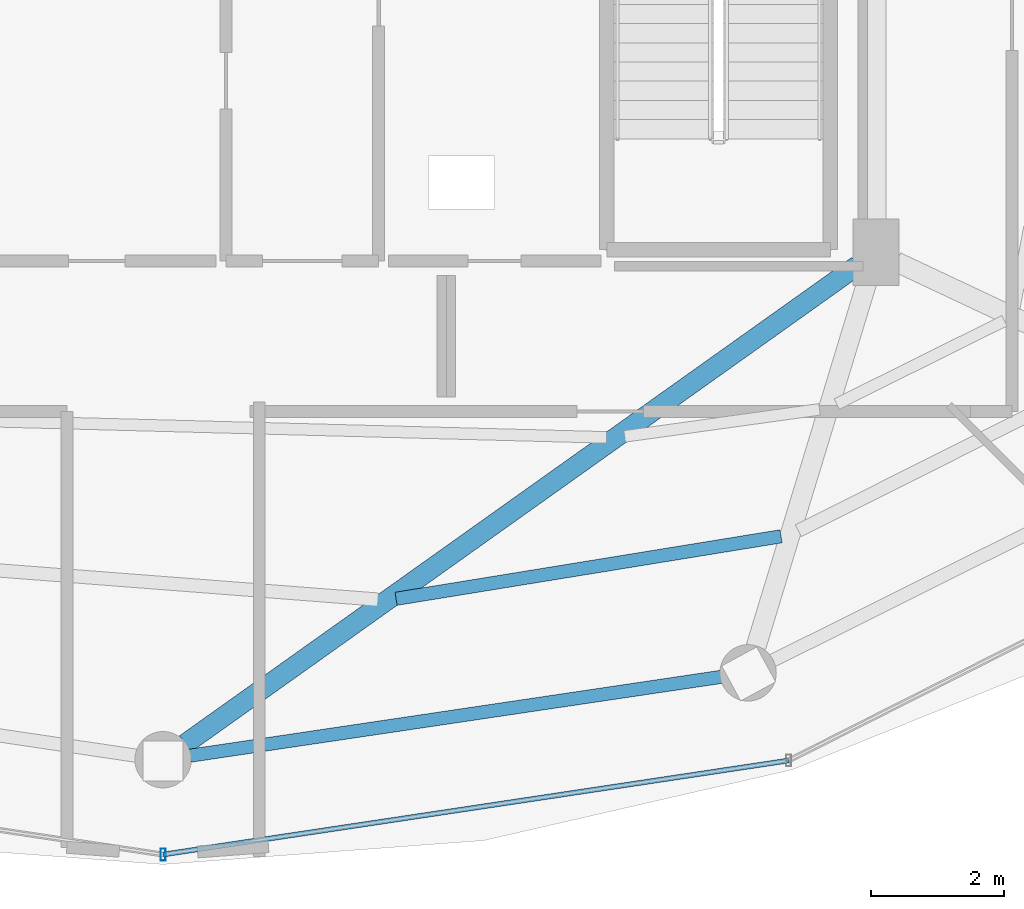
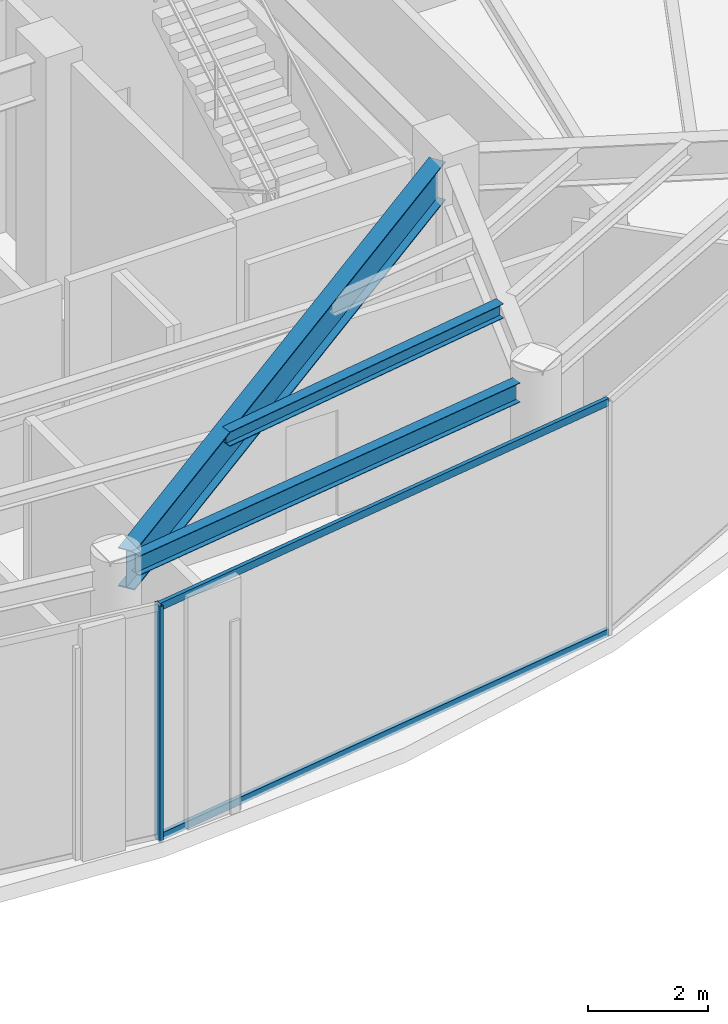
# One storey, part 5 of 24: 3 beams, 3 members, 1 element without a shape of its own.
"""IFC4 building model written with IfcOpenShell, lengths in metres."""

from ifc_helpers import new_model, si_unit, direction, frame, origin, origin_2d, place, context, subcontext, project, spatial, hollow_rectangle, i_section, extrude, material, material_profile, profile_set, type_object, element, aggregate, save


model = new_model("IFC4")

# Units and contexts
model_context = context("Model", 3, precision=1e-05, world=origin(), true_north=direction((0.0, 1.0)))
body_context = subcontext(model_context, "Body", "Model", "MODEL_VIEW")
ifc_project = project(units=[si_unit("LENGTHUNIT", "METRE"), si_unit("AREAUNIT", "SQUARE_METRE"), si_unit("VOLUMEUNIT", "CUBIC_METRE"), si_unit("PLANEANGLEUNIT", "RADIAN"), si_unit("MASSUNIT", "GRAM", prefix="KILO")], contexts=[model_context])

# Site, building, storey
site_placement = place(None, origin())
site = spatial("IfcSite", under=ifc_project, at=site_placement, CompositionType="ELEMENT")
building_placement = place(site_placement, origin())
building = spatial("IfcBuilding", under=site, at=building_placement, Name="Vorneva Point Tower", CompositionType="ELEMENT")
storey_placement = place(building_placement, frame((0.0, 0.0, 290.39990234375)))
storey = spatial("IfcBuildingStorey", under=building, at=storey_placement, Name="L78", CompositionType="ELEMENT", Elevation=290.39990234375)

# Beams
ifc_material_1 = material(Name="Steel S355", Category="steel")
ifc_material_profile_1 = material_profile(ifc_material_1, i_section(OverallWidth=0.300048828125, OverallDepth=0.7880859375, WebThickness=0.014404296875, FlangeThickness=0.02197265625, at=origin_2d()), Name="80Sh1")
ifc_profile_set_1 = profile_set([ifc_material_profile_1], Name="Steel S355")
beam_type_1 = type_object("IfcBeamType", Name="BM-GRD-80Sh1", PredefinedType="USERDEFINED", material=ifc_profile_set_1)
beam_1_placement = place(storey_placement, frame((38.33642578125, 9.03955078125, 4.326171875), z_axis=(0.814757147543, 0.579802371958, 0.0), x_axis=(-0.579802371958, 0.814757147543, 0.0)))
element("IfcBeam", 1, at=beam_1_placement, inside=storey, type_object=beam_type_1, Name="L78 Radial Primary Girder 13", ObjectType="GIRDER", PredefinedType="USERDEFINED", context=body_context, shape_type="SweptSolid", body=[
    extrude(i_section(OverallWidth=0.300048828125, OverallDepth=0.7880859375, WebThickness=0.014404296875, FlangeThickness=0.02197265625, at=origin_2d()), origin(), (0.0, 0.0, 1.0), 12.441162109375),
])
ifc_material_profile_2 = material_profile(ifc_material_1, i_section(OverallWidth=0.199951171875, OverallDepth=0.291015625, WebThickness=0.008056640625, FlangeThickness=0.010986328125, at=origin_2d()), Name="30Sh1")
ifc_profile_set_2 = profile_set([ifc_material_profile_2], Name="Steel S355")
beam_type_2 = type_object("IfcBeamType", Name="BM-SEC-30Sh1", PredefinedType="BEAM", material=ifc_profile_set_2)
beam_2_placement = place(storey_placement, frame((41.513671875, 11.2255859375, 4.57470703125), z_axis=(0.987061114088, 0.160344494936, 0.0), x_axis=(-0.160344494936, 0.987061114088, 0.0)))
element("IfcBeam", 2, at=beam_2_placement, inside=storey, type_object=beam_type_2, Name="L78 Secondary Floor Beam 1.13", PredefinedType="BEAM", context=body_context, shape_type="SweptSolid", body=[
    extrude(i_section(OverallWidth=0.199951171875, OverallDepth=0.291015625, WebThickness=0.008056640625, FlangeThickness=0.010986328125, at=origin_2d()), origin(), (0.0, 0.0, 1.0), 5.88037109375),
])
ifc_material_profile_3 = material_profile(ifc_material_1, i_section(OverallWidth=0.198974609375, OverallDepth=0.39599609375, WebThickness=0.007080078125, FlangeThickness=0.010986328125, at=origin_2d()), Name="40B1")
ifc_profile_set_3 = profile_set([ifc_material_profile_3], Name="Steel S355")
beam_type_3 = type_object("IfcBeamType", Name="BM-SPN-40B1", PredefinedType="SPANDREL", material=ifc_profile_set_3)
beam_3_placement = place(storey_placement, frame((38.405517578125, 8.860107421875, 4.522216796875), z_axis=(0.989161657331, 0.146830567886, 0.0), x_axis=(-0.146830567886, 0.989161657331, 0.0)))
element("IfcBeam", 3, at=beam_3_placement, inside=storey, type_object=beam_type_3, Name="L78 Perimeter Spandrel Ring Beam 13", PredefinedType="SPANDREL", context=body_context, shape_type="SweptSolid", body=[
    extrude(i_section(OverallWidth=0.198974609375, OverallDepth=0.39599609375, WebThickness=0.007080078125, FlangeThickness=0.010986328125, at=origin_2d()), origin(), (0.0, 0.0, 1.0), 8.097412109375),
])

# Curtain wall, members
ifc_material_2 = material(Name="Pale anodised aluminium", Category="aluminium")
curtain_wall_type = type_object("IfcCurtainWallType", Name="CW-OBS-SYS", PredefinedType="NOTDEFINED", material=ifc_material_2)
curtain_wall_placement = place(storey_placement, origin())
curtain_wall = element("IfcCurtainWall", 4, at=curtain_wall_placement, inside=storey, type_object=curtain_wall_type, Name="L78 Unitised Curtain Wall CW-L78-R04", PredefinedType="NOTDEFINED")
ifc_material_profile_4 = material_profile(ifc_material_2, hollow_rectangle(XDim=0.074951171875, YDim=0.179931640625, WallThickness=0.00390625, at=origin_2d()), Name="AL-MUL 180x75x4")
ifc_profile_set_4 = profile_set([ifc_material_profile_4], Name="Pale anodised aluminium")
member_type_1 = type_object("IfcMemberType", Name="CW-MUL-180", PredefinedType="MULLION", material=ifc_profile_set_4)
member_1_placement = place(storey_placement, frame((38.0, 7.3701171875, -0.039794921875), z_axis=(0.0, 0.0, 1.0), x_axis=(1.0, 0.0, 0.0)))
member_1 = element("IfcMember", 5, at=member_1_placement, type_object=member_type_1, Name="CW-L78-R04 Mullion 02", PredefinedType="MULLION", context=body_context, shape_type="SweptSolid", body=[
    extrude(hollow_rectangle(XDim=0.074951171875, YDim=0.179931640625, WallThickness=0.00390625, at=origin_2d()), origin(), (0.0, 0.0, 1.0), 4.789794921875),
])
ifc_material_profile_5 = material_profile(ifc_material_2, hollow_rectangle(XDim=0.074951171875, YDim=0.14990234375, WallThickness=0.00390625, at=origin_2d()), Name="AL-TRN 150x75x4")
ifc_profile_set_5 = profile_set([ifc_material_profile_5], Name="Pale anodised aluminium")
member_type_2 = type_object("IfcMemberType", Name="CW-TRN-150", PredefinedType="USERDEFINED", material=ifc_profile_set_5)
member_2_placement = place(storey_placement, frame((38.0, 7.3701171875, 0.02001953125), z_axis=(0.988890123612, 0.148648321288, 0.0), x_axis=(-0.148648321288, 0.988890123612, 0.0)))
member_2 = element("IfcMember", 6, at=member_2_placement, type_object=member_type_2, Name="CW-L78-R04 Transom 02.1", ObjectType="TRANSOM", PredefinedType="USERDEFINED", context=body_context, shape_type="SweptSolid", body=[
    extrude(hollow_rectangle(XDim=0.074951171875, YDim=0.14990234375, WallThickness=0.00390625, at=origin_2d()), origin(), (0.0, 0.0, 1.0), 9.5390625),
])
member_3_placement = place(storey_placement, frame((38.0, 7.3701171875, 4.7001953125), z_axis=(0.988890123612, 0.148648321288, 0.0), x_axis=(-0.148648321288, 0.988890123612, 0.0)))
member_3 = element("IfcMember", 7, at=member_3_placement, type_object=member_type_2, Name="CW-L78-R04 Transom 02.2", ObjectType="TRANSOM", PredefinedType="USERDEFINED", context=body_context, shape_type="SweptSolid", body=[
    extrude(hollow_rectangle(XDim=0.074951171875, YDim=0.14990234375, WallThickness=0.00390625, at=origin_2d()), origin(), (0.0, 0.0, 1.0), 9.5390625),
])
aggregate(curtain_wall, [member_1, member_2, member_3])

save(model, "model.ifc")
